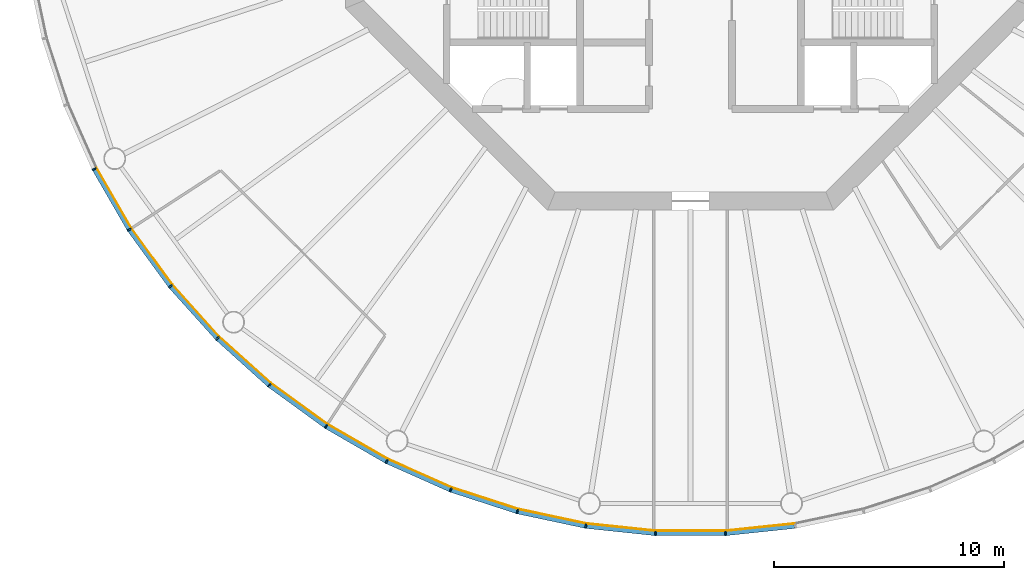
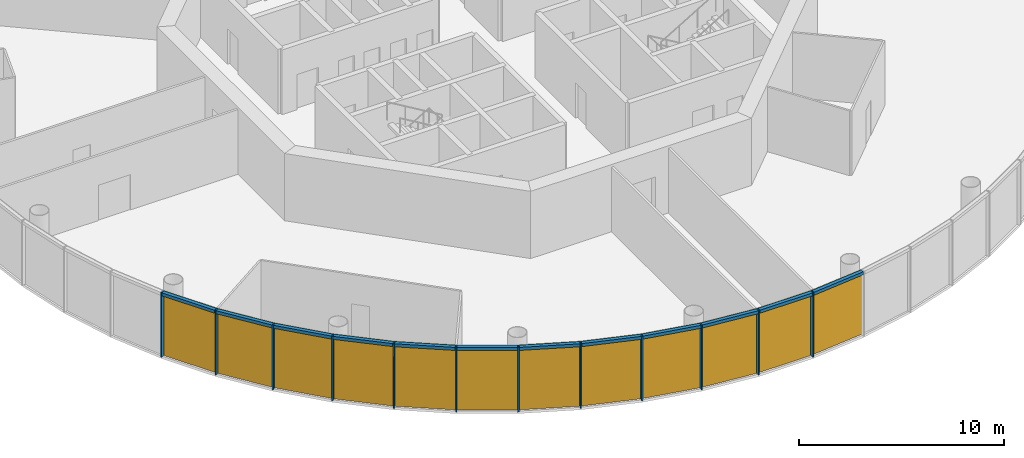
# One storey, part 7 of 13: 24 members, 4 curtain walls.
"""IFC4 building model written with IfcOpenShell, lengths in metres."""

from ifc_helpers import new_model, si_unit, direction, frame, origin, origin_2d, place, context, subcontext, project, spatial, polyline, rectangle, outline, extrude, material, layer, layer_set, material_profile, profile_set, type_object, element, aggregate, save


model = new_model("IFC4")

# Units and contexts
model_context = context("Model", 3, precision=1e-05, world=origin(), true_north=direction((0.0, 1.0)))
body_context = subcontext(model_context, "Body", "Model", "MODEL_VIEW")
ifc_project = project(units=[si_unit("LENGTHUNIT", "METRE"), si_unit("AREAUNIT", "SQUARE_METRE"), si_unit("VOLUMEUNIT", "CUBIC_METRE"), si_unit("PLANEANGLEUNIT", "RADIAN"), si_unit("MASSUNIT", "GRAM", prefix="KILO")], contexts=[model_context])

# Member
ifc_material_1 = material(Name="Anodised aluminium", Category="aluminium")
ifc_material_profile_1 = material_profile(ifc_material_1, rectangle(XDim=0.06494140625, YDim=0.195068359375, at=origin_2d()), Name="Mullion 65 x 195 mm anodised aluminium")
ifc_profile_set_1 = profile_set([ifc_material_profile_1], Name="Anodised aluminium")
member_type_1 = type_object("IfcMemberType", Name="Mullion 65 x 195 mm anodised aluminium", PredefinedType="MULLION", material=ifc_profile_set_1)
site_placement = place(None, origin())
building_placement = place(site_placement, origin())
storey_placement = place(building_placement, frame((0.0, 0.0, 282.0)))
member_1_placement = place(storey_placement, frame((64.073974609375, 66.7900390625, 0.0), z_axis=(0.0, 0.0, 1.0), x_axis=(0.45399049974, -0.891006524188, 0.0)))
member_1 = element("IfcMember", 1, at=member_1_placement, type_object=member_type_1, Name="MULLION L64-33", PredefinedType="MULLION", context=body_context, shape_type="SweptSolid", body=[
    extrude(rectangle(XDim=0.06494140625, YDim=0.195068359375, at=origin_2d()), origin(), (0.0, 0.0, 1.0), 3.85009765625),
])

member_2_placement = place(storey_placement, frame((65.5966796875, 64.15234375, 0.0), z_axis=(0.0, 0.0, 1.0), x_axis=(0.544639035015, -0.838670567945, 0.0)))
member_2 = element("IfcMember", 2, at=member_2_placement, type_object=member_type_1, Name="MULLION L64-34", PredefinedType="MULLION", context=body_context, shape_type="SweptSolid", body=[
    extrude(rectangle(XDim=0.06494140625, YDim=0.195068359375, at=origin_2d()), origin(), (0.0, 0.0, 1.0), 3.85009765625),
])

member_3_placement = place(storey_placement, frame((67.386962890625, 61.688232421875, 0.0), z_axis=(0.0, 0.0, 1.0), x_axis=(0.62932039105, -0.777145961457, 0.0)))
member_3 = element("IfcMember", 3, at=member_3_placement, type_object=member_type_1, Name="MULLION L64-35", PredefinedType="MULLION", context=body_context, shape_type="SweptSolid", body=[
    extrude(rectangle(XDim=0.06494140625, YDim=0.195068359375, at=origin_2d()), origin(), (0.0, 0.0, 1.0), 3.85009765625),
])

member_4_placement = place(storey_placement, frame((69.425048828125, 59.425048828125, 0.0), z_axis=(0.0, 0.0, 1.0), x_axis=(0.707106781187, -0.707106781187, 0.0)))
member_4 = element("IfcMember", 4, at=member_4_placement, type_object=member_type_1, Name="MULLION L64-36", PredefinedType="MULLION", context=body_context, shape_type="SweptSolid", body=[
    extrude(rectangle(XDim=0.06494140625, YDim=0.195068359375, at=origin_2d()), origin(), (0.0, 0.0, 1.0), 3.85009765625),
])

member_5_placement = place(storey_placement, frame((71.688232421875, 57.386962890625, 0.0), z_axis=(0.0, 0.0, 1.0), x_axis=(0.777145961457, -0.62932039105, 0.0)))
member_5 = element("IfcMember", 5, at=member_5_placement, type_object=member_type_1, Name="MULLION L64-37", PredefinedType="MULLION", context=body_context, shape_type="SweptSolid", body=[
    extrude(rectangle(XDim=0.06494140625, YDim=0.195068359375, at=origin_2d()), origin(), (0.0, 0.0, 1.0), 3.85009765625),
])

member_6_placement = place(storey_placement, frame((74.15234375, 55.5966796875, 0.0), z_axis=(0.0, 0.0, 1.0), x_axis=(0.838670567945, -0.544639035015, 0.0)))
member_6 = element("IfcMember", 6, at=member_6_placement, type_object=member_type_1, Name="MULLION L64-38", PredefinedType="MULLION", context=body_context, shape_type="SweptSolid", body=[
    extrude(rectangle(XDim=0.06494140625, YDim=0.195068359375, at=origin_2d()), origin(), (0.0, 0.0, 1.0), 3.85009765625),
])

member_7_placement = place(storey_placement, frame((76.7900390625, 54.073974609375, 0.0), z_axis=(0.0, 0.0, 1.0), x_axis=(0.891006524188, -0.45399049974, 0.0)))
member_7 = element("IfcMember", 7, at=member_7_placement, type_object=member_type_1, Name="MULLION L64-39", PredefinedType="MULLION", context=body_context, shape_type="SweptSolid", body=[
    extrude(rectangle(XDim=0.06494140625, YDim=0.195068359375, at=origin_2d()), origin(), (0.0, 0.0, 1.0), 3.85009765625),
])

member_8_placement = place(storey_placement, frame((79.572509765625, 52.835205078125, 0.0), z_axis=(0.0, 0.0, 1.0), x_axis=(0.933580426497, -0.358367949545, 0.0)))
member_8 = element("IfcMember", 8, at=member_8_placement, type_object=member_type_1, Name="MULLION L64-40", PredefinedType="MULLION", context=body_context, shape_type="SweptSolid", body=[
    extrude(rectangle(XDim=0.06494140625, YDim=0.195068359375, at=origin_2d()), origin(), (0.0, 0.0, 1.0), 3.85009765625),
])

member_9_placement = place(storey_placement, frame((82.468994140625, 51.89404296875, 0.0), z_axis=(0.0, 0.0, 1.0), x_axis=(0.965925826289, -0.258819045103, 0.0)))
member_9 = element("IfcMember", 9, at=member_9_placement, type_object=member_type_1, Name="MULLION L64-41", PredefinedType="MULLION", context=body_context, shape_type="SweptSolid", body=[
    extrude(rectangle(XDim=0.06494140625, YDim=0.195068359375, at=origin_2d()), origin(), (0.0, 0.0, 1.0), 3.85009765625),
])

member_10_placement = place(storey_placement, frame((85.4482421875, 51.2607421875, 0.0), z_axis=(0.0, 0.0, 1.0), x_axis=(0.987688340595, -0.15643446504, 0.0)))
member_10 = element("IfcMember", 10, at=member_10_placement, type_object=member_type_1, Name="MULLION L64-42", PredefinedType="MULLION", context=body_context, shape_type="SweptSolid", body=[
    extrude(rectangle(XDim=0.06494140625, YDim=0.195068359375, at=origin_2d()), origin(), (0.0, 0.0, 1.0), 3.85009765625),
])

member_11_placement = place(storey_placement, frame((88.47705078125, 50.9423828125, 0.0), z_axis=(0.0, 0.0, 1.0), x_axis=(0.998629534755, -0.052335956243, 0.0)))
member_11 = element("IfcMember", 11, at=member_11_placement, type_object=member_type_1, Name="MULLION L64-43", PredefinedType="MULLION", context=body_context, shape_type="SweptSolid", body=[
    extrude(rectangle(XDim=0.06494140625, YDim=0.195068359375, at=origin_2d()), origin(), (0.0, 0.0, 1.0), 3.85009765625),
])

member_12_placement = place(storey_placement, frame((91.52294921875, 50.9423828125, 0.0), z_axis=(0.0, 0.0, 1.0), x_axis=(0.998629534755, 0.052335956243, 0.0)))
member_12 = element("IfcMember", 12, at=member_12_placement, type_object=member_type_1, Name="MULLION L64-44", PredefinedType="MULLION", context=body_context, shape_type="SweptSolid", body=[
    extrude(rectangle(XDim=0.06494140625, YDim=0.195068359375, at=origin_2d()), origin(), (0.0, 0.0, 1.0), 3.85009765625),
])

ifc_material_2 = material(Name="Anodised aluminium", Category="aluminium")
ifc_material_profile_2 = material_profile(ifc_material_2, rectangle(XDim=0.195068359375, YDim=0.179931640625, at=origin_2d()), Name="Transom 180 x 195 mm anodised aluminium")
ifc_profile_set_2 = profile_set([ifc_material_profile_2], Name="Anodised aluminium")
member_type_2 = type_object("IfcMemberType", Name="Transom 180 x 195 mm anodised aluminium", PredefinedType="USERDEFINED", material=ifc_profile_set_2)
member_13_placement = place(storey_placement, frame((64.092529296875, 66.75732421875, 3.760009765625), z_axis=(0.500028367561, -0.866009025146, 0.0), x_axis=(0.866009025146, 0.500028367561, 0.0)))
member_13 = element("IfcMember", 13, at=member_13_placement, type_object=member_type_2, Name="TRANSOM L64-33", ObjectType="TRANSOM", PredefinedType="USERDEFINED", context=body_context, shape_type="SweptSolid", body=[
    extrude(rectangle(XDim=0.195068359375, YDim=0.179931640625, at=origin_2d()), origin(), (0.0, 0.0, 1.0), 2.970458984375),
])

member_14_placement = place(storey_placement, frame((65.618896484375, 64.121826171875, 3.760009765625), z_axis=(0.587765987476, -0.809030990733, 0.0), x_axis=(0.809030990733, 0.587765987476, 0.0)))
member_14 = element("IfcMember", 14, at=member_14_placement, type_object=member_type_2, Name="TRANSOM L64-34", ObjectType="TRANSOM", PredefinedType="USERDEFINED", context=body_context, shape_type="SweptSolid", body=[
    extrude(rectangle(XDim=0.195068359375, YDim=0.179931640625, at=origin_2d()), origin(), (0.0, 0.0, 1.0), 2.97021484375),
])

member_15_placement = place(storey_placement, frame((67.412109375, 61.660400390625, 3.760009765625), z_axis=(0.669110027395, -0.743163354343, 0.0), x_axis=(0.743163354343, 0.669110027395, 0.0)))
member_15 = element("IfcMember", 15, at=member_15_placement, type_object=member_type_2, Name="TRANSOM L64-35", ObjectType="TRANSOM", PredefinedType="USERDEFINED", context=body_context, shape_type="SweptSolid", body=[
    extrude(rectangle(XDim=0.195068359375, YDim=0.179931640625, at=origin_2d()), origin(), (0.0, 0.0, 1.0), 2.970458984375),
])

member_16_placement = place(storey_placement, frame((69.452880859375, 59.399658203125, 3.760009765625), z_axis=(0.743163354343, -0.669110027395, 0.0), x_axis=(0.669110027395, 0.743163354343, 0.0)))
member_16 = element("IfcMember", 16, at=member_16_placement, type_object=member_type_2, Name="TRANSOM L64-36", ObjectType="TRANSOM", PredefinedType="USERDEFINED", context=body_context, shape_type="SweptSolid", body=[
    extrude(rectangle(XDim=0.195068359375, YDim=0.179931640625, at=origin_2d()), origin(), (0.0, 0.0, 1.0), 2.970458984375),
])

member_17_placement = place(storey_placement, frame((71.71875, 57.36474609375, 3.760009765625), z_axis=(0.809030990733, -0.587765987476, 0.0), x_axis=(0.587765987476, 0.809030990733, 0.0)))
member_17 = element("IfcMember", 17, at=member_17_placement, type_object=member_type_2, Name="TRANSOM L64-37", ObjectType="TRANSOM", PredefinedType="USERDEFINED", context=body_context, shape_type="SweptSolid", body=[
    extrude(rectangle(XDim=0.195068359375, YDim=0.179931640625, at=origin_2d()), origin(), (0.0, 0.0, 1.0), 2.97021484375),
])

member_18_placement = place(storey_placement, frame((74.184814453125, 55.577880859375, 3.760009765625), z_axis=(0.866009025146, -0.500028367561, 0.0), x_axis=(0.500028367561, 0.866009025146, 0.0)))
member_18 = element("IfcMember", 18, at=member_18_placement, type_object=member_type_2, Name="TRANSOM L64-38", ObjectType="TRANSOM", PredefinedType="USERDEFINED", context=body_context, shape_type="SweptSolid", body=[
    extrude(rectangle(XDim=0.195068359375, YDim=0.179931640625, at=origin_2d()), origin(), (0.0, 0.0, 1.0), 2.970458984375),
])

member_19_placement = place(storey_placement, frame((76.82421875, 54.05859375, 3.760009765625), z_axis=(0.913550406593, -0.406725527369, 0.0), x_axis=(0.406725527369, 0.913550406593, 0.0)))
member_19 = element("IfcMember", 19, at=member_19_placement, type_object=member_type_2, Name="TRANSOM L64-39", ObjectType="TRANSOM", PredefinedType="USERDEFINED", context=body_context, shape_type="SweptSolid", body=[
    extrude(rectangle(XDim=0.195068359375, YDim=0.179931640625, at=origin_2d()), origin(), (0.0, 0.0, 1.0), 2.970703125),
])

member_20_placement = place(storey_placement, frame((79.608154296875, 52.823486328125, 3.760009765625), z_axis=(0.951047960094, -0.309043326415, 0.0), x_axis=(0.309043326415, 0.951047960094, 0.0)))
member_20 = element("IfcMember", 20, at=member_20_placement, type_object=member_type_2, Name="TRANSOM L64-40", ObjectType="TRANSOM", PredefinedType="USERDEFINED", context=body_context, shape_type="SweptSolid", body=[
    extrude(rectangle(XDim=0.195068359375, YDim=0.179931640625, at=origin_2d()), origin(), (0.0, 0.0, 1.0), 2.970458984375),
])

member_21_placement = place(storey_placement, frame((82.505859375, 51.885986328125, 3.760009765625), z_axis=(0.978141510112, -0.207940342877, 0.0), x_axis=(0.207940342877, 0.978141510112, 0.0)))
member_21 = element("IfcMember", 21, at=member_21_placement, type_object=member_type_2, Name="TRANSOM L64-41", ObjectType="TRANSOM", PredefinedType="USERDEFINED", context=body_context, shape_type="SweptSolid", body=[
    extrude(rectangle(XDim=0.195068359375, YDim=0.179931640625, at=origin_2d()), origin(), (0.0, 0.0, 1.0), 2.970458984375),
])

member_22_placement = place(storey_placement, frame((85.485595703125, 51.256591796875, 3.760009765625), z_axis=(0.994528397827, -0.104466577987, 0.0), x_axis=(0.104466577987, 0.994528397827, 0.0)))
member_22 = element("IfcMember", 22, at=member_22_placement, type_object=member_type_2, Name="TRANSOM L64-42", ObjectType="TRANSOM", PredefinedType="USERDEFINED", context=body_context, shape_type="SweptSolid", body=[
    extrude(rectangle(XDim=0.195068359375, YDim=0.179931640625, at=origin_2d()), origin(), (0.0, 0.0, 1.0), 2.970458984375),
])

member_23_placement = place(storey_placement, frame((88.5146484375, 50.942138671875, 3.760009765625), z_axis=(1.0, 0.0, 0.0), x_axis=(0.0, 1.0, 0.0)))
member_23 = element("IfcMember", 23, at=member_23_placement, type_object=member_type_2, Name="TRANSOM L64-43", ObjectType="TRANSOM", PredefinedType="USERDEFINED", context=body_context, shape_type="SweptSolid", body=[
    extrude(rectangle(XDim=0.195068359375, YDim=0.179931640625, at=origin_2d()), origin(), (0.0, 0.0, 1.0), 2.970703125),
])

member_24_placement = place(storey_placement, frame((91.560302734375, 50.9462890625, 3.760009765625), z_axis=(0.994528397827, 0.104466577987, 0.0), x_axis=(-0.104466577987, 0.994528397827, 0.0)))
member_24 = element("IfcMember", 24, at=member_24_placement, type_object=member_type_2, Name="TRANSOM L64-44", ObjectType="TRANSOM", PredefinedType="USERDEFINED", context=body_context, shape_type="SweptSolid", body=[
    extrude(rectangle(XDim=0.195068359375, YDim=0.179931640625, at=origin_2d()), origin(), (0.0, 0.0, 1.0), 2.970458984375),
])

# Site, building, storey
site = spatial("IfcSite", under=ifc_project, at=site_placement, CompositionType="ELEMENT")
building = spatial("IfcBuilding", under=site, at=building_placement, Name="Entoto Ring Tower", CompositionType="ELEMENT")
storey = spatial("IfcBuildingStorey", under=building, at=storey_placement, Name="L64", CompositionType="ELEMENT", Elevation=282.0)

# Curtain wall
ifc_material_3 = material(Name="Clear low-iron glass", Category="glass")
ifc_layer = layer(ifc_material_3, 0.033935546875)
ifc_layer_set = layer_set([ifc_layer], Name="Clear low-iron glass")
curtain_wall_type = type_object("IfcCurtainWallType", Name="Curtain wall system CW5 glazing 34 mm", PredefinedType="NOTDEFINED", material=ifc_layer_set)
curtain_wall_1_placement = place(storey_placement, origin())
curtain_wall_1 = element("IfcCurtainWall", 25, at=curtain_wall_1_placement, inside=storey, type_object=curtain_wall_type, Name="CW5 L64-12", PredefinedType="NOTDEFINED", context=body_context, shape_type="SweptSolid", body=[
    extrude(outline(polyline([(64.160888671875, 66.834228515625), (65.678466796875, 64.20556640625), (67.462646484375, 61.749755859375), (69.493896484375, 59.493896484375), (69.51806640625, 59.51806640625), (67.4892578125, 61.771240234375), (65.70703125, 64.22412109375), (64.191162109375, 66.849853515625), (64.160888671875, 66.834228515625)])), origin(), (0.0, 0.0, 1.0), 3.85009765625),
])

aggregate(curtain_wall_1, [member_1, member_2, member_3, member_13, member_14, member_15])

curtain_wall_2_placement = place(storey_placement, origin())
curtain_wall_2 = element("IfcCurtainWall", 26, at=curtain_wall_2_placement, inside=storey, type_object=curtain_wall_type, Name="CW5 L64-13", PredefinedType="NOTDEFINED", context=body_context, shape_type="SweptSolid", body=[
    extrude(outline(polyline([(69.493896484375, 59.493896484375), (71.749755859375, 57.462646484375), (74.20556640625, 55.678466796875), (76.834228515625, 54.160888671875), (76.849853515625, 54.191162109375), (74.22412109375, 55.70703125), (71.771240234375, 57.4892578125), (69.51806640625, 59.51806640625), (69.493896484375, 59.493896484375)])), origin(), (0.0, 0.0, 1.0), 3.85009765625),
])

aggregate(curtain_wall_2, [member_4, member_5, member_6, member_16, member_17, member_18])

curtain_wall_3_placement = place(storey_placement, origin())
curtain_wall_3 = element("IfcCurtainWall", 27, at=curtain_wall_3_placement, inside=storey, type_object=curtain_wall_type, Name="CW5 L64-14", PredefinedType="NOTDEFINED", context=body_context, shape_type="SweptSolid", body=[
    extrude(outline(polyline([(76.834228515625, 54.160888671875), (79.607421875, 52.92626953125), (82.494140625, 51.988037109375), (85.46337890625, 51.35693359375), (85.46875, 51.390625), (82.503173828125, 52.02099609375), (79.61962890625, 52.9580078125), (76.849853515625, 54.191162109375), (76.834228515625, 54.160888671875)])), origin(), (0.0, 0.0, 1.0), 3.85009765625),
])

aggregate(curtain_wall_3, [member_7, member_8, member_9, member_19, member_20, member_21])

curtain_wall_4_placement = place(storey_placement, origin())
curtain_wall_4 = element("IfcCurtainWall", 28, at=curtain_wall_4_placement, inside=storey, type_object=curtain_wall_type, Name="CW5 L64-15", PredefinedType="NOTDEFINED", context=body_context, shape_type="SweptSolid", body=[
    extrude(outline(polyline([(85.46337890625, 51.35693359375), (88.482177734375, 51.039794921875), (91.517822265625, 51.039794921875), (94.53662109375, 51.35693359375), (94.53125, 51.390625), (91.515869140625, 51.07373046875), (88.484130859375, 51.07373046875), (85.46875, 51.390625), (85.46337890625, 51.35693359375)])), origin(), (0.0, 0.0, 1.0), 3.85009765625),
])

aggregate(curtain_wall_4, [member_10, member_11, member_12, member_22, member_23, member_24])

save(model, "model.ifc")
